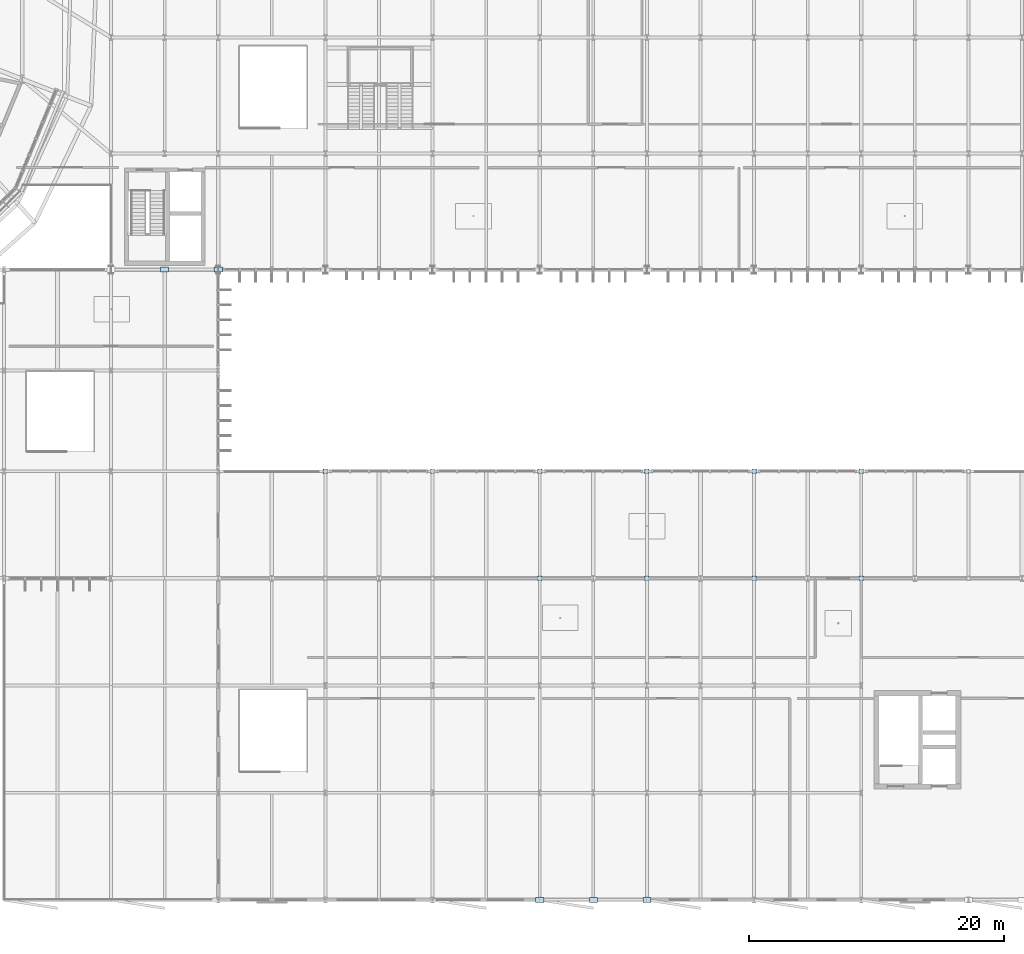
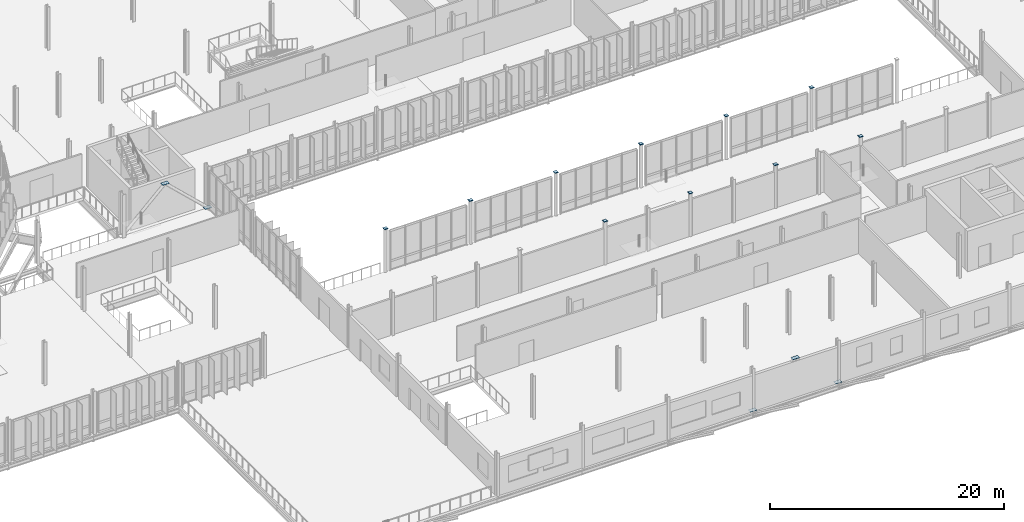
# One storey, part 97 of 139: 15 plates.
"""IFC4 building model written with IfcOpenShell, lengths in metres."""

from ifc_helpers import new_model, si_unit, derived_unit, direction, frame, origin, origin_2d, place, context, subcontext, project, spatial, rectangle, extrude, material, layer, layer_set, type_object, element, save


model = new_model("IFC4")

# Units and contexts
model_context = context("Model", 3, precision=1e-05, world=origin(), true_north=direction((0.0, 1.0)))
body_context = subcontext(model_context, "Body", "Model", "MODEL_VIEW")
ifc_project = project(units=[si_unit("LENGTHUNIT", "METRE"), si_unit("AREAUNIT", "SQUARE_METRE"), si_unit("VOLUMEUNIT", "CUBIC_METRE"), si_unit("PLANEANGLEUNIT", "RADIAN"), si_unit("MASSUNIT", "GRAM", prefix="KILO"), derived_unit("THERMALTRANSMITTANCEUNIT", [(si_unit("MASSUNIT", "GRAM", prefix="KILO"), 1), (si_unit("TIMEUNIT", "SECOND"), -3), (si_unit("THERMODYNAMICTEMPERATUREUNIT", "KELVIN"), -1)])], contexts=[model_context])

# Site, building, storey
site_placement = place(None, origin())
site = spatial("IfcSite", under=ifc_project, at=site_placement, CompositionType="ELEMENT")
building_placement = place(site_placement, origin())
building = spatial("IfcBuilding", under=site, at=building_placement, Name="Makaiwela Harbour Ferry Terminal", CompositionType="ELEMENT")
storey_placement = place(building_placement, frame((0.0, 0.0, 5.10009765625)))
storey = spatial("IfcBuildingStorey", under=building, at=storey_placement, Name="L01", CompositionType="ELEMENT", Elevation=5.10009765625)

# Plates
ifc_material = material(Name="Steel ASTM A572 Grade 50", Category="steel")
ifc_layer_1 = layer(ifc_material, 0.02197265625)
ifc_layer_set_1 = layer_set([ifc_layer_1], Name="Steel ASTM A572 Grade 50")
plate_type_1 = type_object("IfcPlateType", Name="STR-PLT-CAP2", PredefinedType="SHEET", material=ifc_layer_set_1)
for number, where, z_axis, x_axis, name in (
    (1, (79.800048828125, 33.60009765625, 4.5), (0.0, 0.0, 1.0), (1.0, 0.0, 0.0), "Welded End Cap EC-0046"),
    (2, (88.199951171875, 33.60009765625, 4.5), (0.0, 0.0, 1.0), (1.0, 0.0, 0.0), "Welded End Cap EC-0048"),
    (3, (96.60009765625, 25.199951171875, 4.5), (0.0, 0.0, 1.0), (1.0, 0.0, 0.0), "Welded End Cap EC-0049"),
    (4, (96.60009765625, 33.60009765625, 4.5), (0.0, 0.0, 1.0), (1.0, 0.0, 0.0), "Welded End Cap EC-0050"),
    (5, (105.0, 25.199951171875, 4.5), (0.0, 0.0, 1.0), (1.0, 0.0, 0.0), "Welded End Cap EC-0051"),
    (6, (105.0, 33.60009765625, 4.5), (0.0, 0.0, 1.0), (1.0, 0.0, 0.0), "Welded End Cap EC-0052"),
    (7, (113.39990234375, 25.199951171875, 4.5), (0.0, 0.0, 1.0), (1.0, 0.0, 0.0), "Welded End Cap EC-0053"),
    (8, (113.39990234375, 33.60009765625, 4.5), (0.0, 0.0, 1.0), (1.0, 0.0, 0.0), "Welded End Cap EC-0054"),
    (9, (121.800048828125, 25.199951171875, 4.5), (0.0, 0.0, 1.0), (1.0, 0.0, 0.0), "Welded End Cap EC-0055"),
    (10, (121.800048828125, 33.60009765625, 4.5), (0.0, 0.0, 1.0), (1.0, 0.0, 0.0), "Welded End Cap EC-0056"),
):
    element("IfcPlate", number, at=place(storey_placement, frame(where, z_axis=z_axis, x_axis=x_axis)), inside=storey, type_object=plate_type_1, Name=name, PredefinedType="SHEET", context=body_context, shape_type="SweptSolid", body=[
        extrude(rectangle(XDim=0.340087890625, YDim=0.340087890625, at=origin_2d()), origin(), (0.0, 0.0, 1.0), 0.02197265625),
    ])
ifc_layer_2 = layer(ifc_material, 0.028076171875)
ifc_layer_set_2 = layer_set([ifc_layer_2], Name="Steel ASTM A572 Grade 50")
plate_type_2 = type_object("IfcPlateType", Name="STR-PLT-GUS3", PredefinedType="USERDEFINED", material=ifc_layer_set_2)
for number, where, z_axis, x_axis, name in (
    (11, (100.800048828125, 0.0, 4.0302734375), (0.0, 0.0, 1.0), (1.0, 0.0, 0.0), "Truss Gusset Plate GP-118"),
    (12, (96.60009765625, 0.0, 0.03564453125), (0.0, 0.0, 1.0), (1.0, 0.0, 0.0), "Truss Gusset Plate GP-119"),
    (13, (105.0, 0.0, 0.03564453125), (0.0, 0.0, 1.0), (1.0, 0.0, 0.0), "Truss Gusset Plate GP-120"),
    (14, (67.199951171875, 49.39990234375, 4.01025390625), (0.0, 0.0, 1.0), (1.0, 0.0, 0.0), "Truss Gusset Plate GP-139"),
    (15, (71.39990234375, 49.39990234375, 0.03564453125), (0.0, 0.0, 1.0), (1.0, 0.0, 0.0), "Truss Gusset Plate GP-141"),
):
    element("IfcPlate", number, at=place(storey_placement, frame(where, z_axis=z_axis, x_axis=x_axis)), inside=storey, type_object=plate_type_2, Name=name, ObjectType="GUSSET PLATE", PredefinedType="USERDEFINED", context=body_context, shape_type="SweptSolid", body=[
        extrude(rectangle(XDim=0.639892578125, YDim=0.39990234375, at=origin_2d()), origin(), (0.0, 0.0, 1.0), 0.028076171875),
    ])

save(model, "model.ifc")
